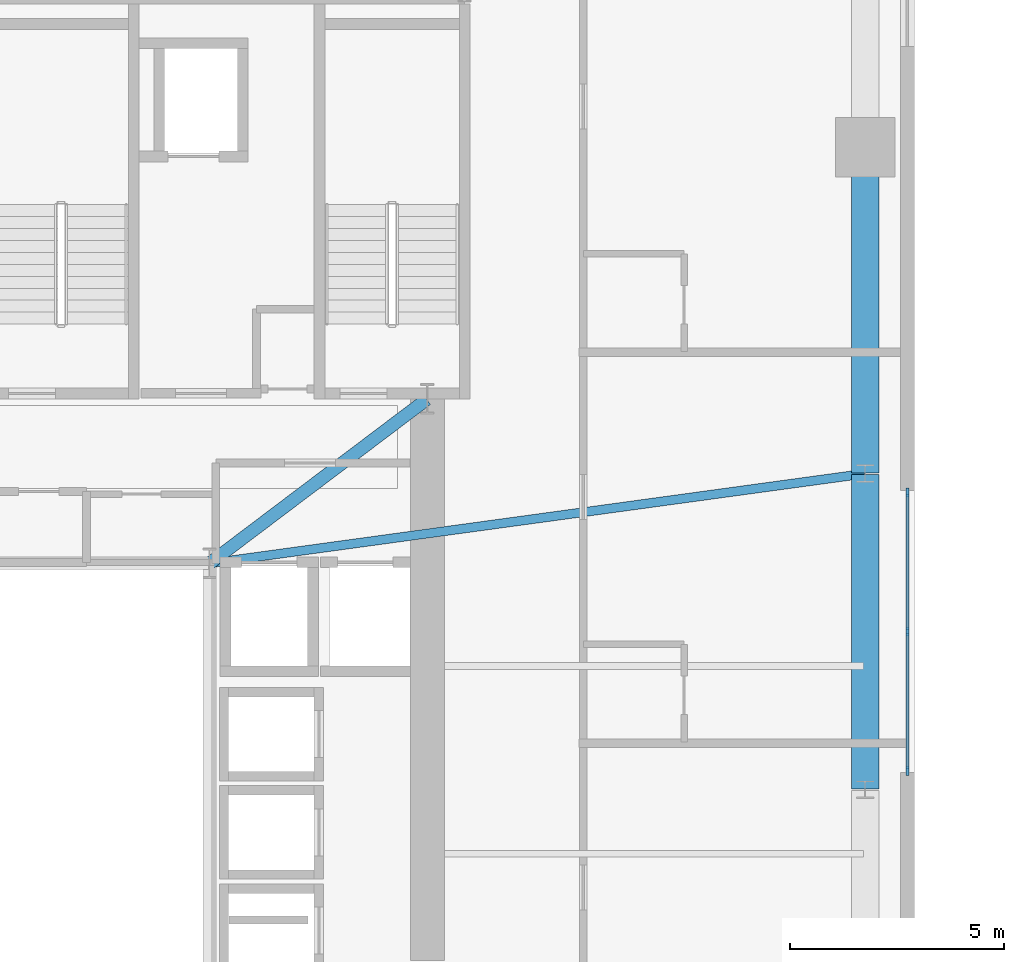
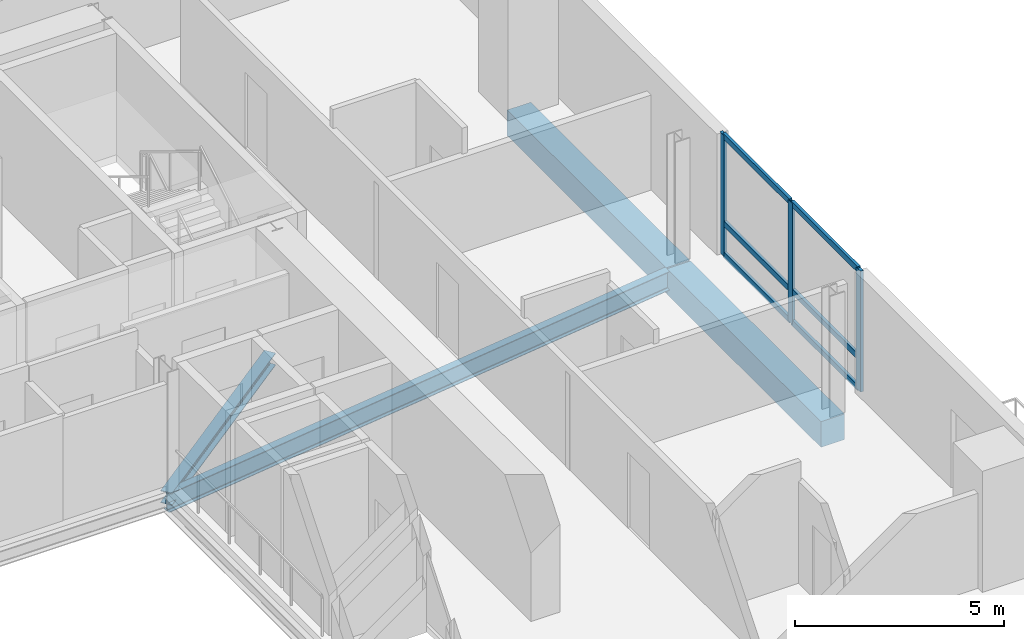
# One storey, part 5 of 15: 9 members, 4 beams, 1 element without a shape of its own.
"""IFC4 building model written with IfcOpenShell, lengths in metres."""

from ifc_helpers import new_model, si_unit, direction, frame, origin, origin_2d, place, context, subcontext, project, spatial, rectangle, i_section, extrude, source, transform, mapped, material, material_profile, profile_set, type_object, element, aggregate, save


model = new_model("IFC4")

# Units and contexts
model_context = context("Model", 3, precision=1e-05, world=origin(), true_north=direction((0.0, 1.0)))
body_context = subcontext(model_context, "Body", "Model", "MODEL_VIEW")
ifc_project = project(units=[si_unit("LENGTHUNIT", "METRE"), si_unit("AREAUNIT", "SQUARE_METRE"), si_unit("VOLUMEUNIT", "CUBIC_METRE"), si_unit("PLANEANGLEUNIT", "RADIAN"), si_unit("MASSUNIT", "GRAM", prefix="KILO")], contexts=[model_context])

# Site, building, storey
site_placement = place(None, origin())
site = spatial("IfcSite", under=ifc_project, at=site_placement, CompositionType="ELEMENT")
building_placement = place(site_placement, origin())
building = spatial("IfcBuilding", under=site, at=building_placement, Name="Vardaveli Station Tower", CompositionType="ELEMENT")
storey_placement = place(building_placement, frame((0.0, 0.0, 207.300048828125)))
storey = spatial("IfcBuildingStorey", under=building, at=storey_placement, Name="L53", CompositionType="ELEMENT", Elevation=207.300048828125)

# Beams
ifc_material_1 = material(Name="Structural steel S355J2", Category="steel")
ifc_material_profile_1 = material_profile(ifc_material_1, i_section(OverallWidth=0.300048828125, OverallDepth=0.360107421875, WebThickness=0.012451171875, FlangeThickness=0.0224609375, FilletRadius=0.027099609375, at=origin_2d()), Name="HEB 360")
ifc_profile_set_1 = profile_set([ifc_material_profile_1], Name="Structural steel S355J2")
beam_type_1 = type_object("IfcBeamType", Name="BM-HEB360", PredefinedType="BEAM", material=ifc_profile_set_1)
shared_shape_1 = source(origin(), body_context, "Body", "SweptSolid", [
    extrude(i_section(OverallWidth=0.300048828125, OverallDepth=0.360107421875, WebThickness=0.012451171875, FlangeThickness=0.0224609375, FilletRadius=0.027099609375, at=origin_2d()), origin(), (0.0, 0.0, 1.0), 6.35009765625),
])
beam_1_placement = place(storey_placement, frame((41.416015625, 26.81201171875, -0.400146484375), z_axis=(0.798118337722, 0.602500721154, 0.0), x_axis=(-0.602500721154, 0.798118337722, 0.0)))
element("IfcBeam", 1, at=beam_1_placement, inside=storey, type_object=beam_type_1, Name="CBM-L53-02", PredefinedType="BEAM", context=body_context, shape_type="MappedRepresentation", body=[
    mapped(shared_shape_1, transform((0.0, 0.0, 0.0), scale=1.0)),
])
ifc_material_2 = material(Name="Precast concrete C45/55", Category="concrete")
ifc_material_profile_2 = material_profile(ifc_material_2, rectangle(XDim=0.64990234375, YDim=0.75, at=origin_2d()), Name="LPB 650x750")
ifc_profile_set_2 = profile_set([ifc_material_profile_2], Name="Precast concrete C45/55")
beam_type_2 = type_object("IfcBeamType", Name="BM-LPB-750", PredefinedType="BEAM", material=ifc_profile_set_2)
shared_shape_2 = source(origin(), body_context, "Body", "SweptSolid", [
    extrude(rectangle(XDim=0.64990234375, YDim=0.75, at=origin_2d()), origin(), (0.0, 0.0, 1.0), 7.60009765625),
])
beam_2_placement = place(storey_placement, frame((56.75, 28.919921875, -0.594970703125), z_axis=(0.0, 1.0, 0.0), x_axis=(-1.0, 0.0, 0.0)))
element("IfcBeam", 2, at=beam_2_placement, inside=storey, type_object=beam_type_2, Name="RBM-L53-09", PredefinedType="BEAM", context=body_context, shape_type="MappedRepresentation", body=[
    mapped(shared_shape_2, transform((0.0, 0.0, 0.0), scale=1.0)),
])
shared_shape_3 = source(origin(), body_context, "Body", "SweptSolid", [
    extrude(rectangle(XDim=0.64990234375, YDim=0.75, at=origin_2d()), origin(), (0.0, 0.0, 1.0), 7.35986328125),
])
beam_3_placement = place(storey_placement, frame((56.75, 21.52001953125, -0.594970703125), z_axis=(0.0, 1.0, 0.0), x_axis=(-1.0, 0.0, 0.0)))
element("IfcBeam", 3, at=beam_3_placement, inside=storey, type_object=beam_type_2, Name="RBM-L53-08", PredefinedType="BEAM", context=body_context, shape_type="MappedRepresentation", body=[
    mapped(shared_shape_3, transform((0.0, 0.0, 0.0), scale=1.0)),
])
ifc_material_profile_3 = material_profile(ifc_material_1, i_section(OverallWidth=0.2099609375, OverallDepth=0.550048828125, WebThickness=0.010986328125, FlangeThickness=0.01708984375, FilletRadius=0.02392578125, at=origin_2d()), Name="IPE 550")
ifc_profile_set_3 = profile_set([ifc_material_profile_3], Name="Structural steel S355J2")
beam_type_3 = type_object("IfcBeamType", Name="BM-IPE550", PredefinedType="BEAM", material=ifc_profile_set_3)
shared_shape_4 = source(origin(), body_context, "Body", "SweptSolid", [
    extrude(i_section(OverallWidth=0.2099609375, OverallDepth=0.550048828125, WebThickness=0.010986328125, FlangeThickness=0.01708984375, FilletRadius=0.02392578125, at=origin_2d()), origin(), (0.0, 0.0, 1.0), 15.452880859375),
])
beam_4_placement = place(storey_placement, frame((56.730224609375, 28.897216796875, -0.4951171875), z_axis=(-0.99077191151, -0.135539733521, 0.0), x_axis=(0.135539733521, -0.99077191151, 0.0)))
element("IfcBeam", 4, at=beam_4_placement, inside=storey, type_object=beam_type_3, Name="GBM-L53-07", PredefinedType="BEAM", context=body_context, shape_type="MappedRepresentation", body=[
    mapped(shared_shape_4, transform((0.0, 0.0, 0.0), scale=1.0)),
])

# Curtain wall, members
ifc_material_3 = material(Name="Travertine stone and solar-control glass", Category="masonry")
curtain_wall_type = type_object("IfcCurtainWallType", Name="CW-SYS-5", PredefinedType="NOTDEFINED", material=ifc_material_3)
curtain_wall_placement = place(storey_placement, origin())
curtain_wall = element("IfcCurtainWall", 5, at=curtain_wall_placement, inside=storey, type_object=curtain_wall_type, Name="CW-L53-E", PredefinedType="NOTDEFINED")
ifc_material_4 = material(Name="Anodised aluminium alloy 6063-T6", Category="aluminium")
ifc_material_profile_4 = material_profile(ifc_material_4, rectangle(XDim=0.080078125, YDim=0.1650390625, at=origin_2d()), Name="CWT 80x165")
ifc_profile_set_4 = profile_set([ifc_material_profile_4], Name="Anodised aluminium alloy 6063-T6")
member_type_1 = type_object("IfcMemberType", Name="CW-SYS-5-TRAN", PredefinedType="NOTDEFINED", material=ifc_profile_set_4)
shared_shape_5 = source(origin(), body_context, "Body", "SweptSolid", [
    extrude(rectangle(XDim=0.080078125, YDim=0.1650390625, at=origin_2d()), origin(), (0.0, 0.0, 1.0), 3.179931640625),
])
member_1_placement = place(storey_placement, frame((57.739990234375, 21.97998046875, 0.0400390625), z_axis=(0.0, 1.0, 0.0), x_axis=(-1.0, 0.0, 0.0)))
member_1 = element("IfcMember", 6, at=member_1_placement, type_object=member_type_1, Name="CW-5 transom 1.1", ObjectType="TRANSOM", PredefinedType="USERDEFINED", context=body_context, shape_type="MappedRepresentation", body=[
    mapped(shared_shape_5, transform((0.0, 0.0, 0.0), scale=1.0)),
])
member_2_placement = place(storey_placement, frame((57.739990234375, 21.97998046875, 0.949951171875), z_axis=(0.0, 1.0, 0.0), x_axis=(-1.0, 0.0, 0.0)))
member_2 = element("IfcMember", 7, at=member_2_placement, type_object=member_type_1, Name="CW-5 transom 1.2", ObjectType="TRANSOM", PredefinedType="USERDEFINED", context=body_context, shape_type="MappedRepresentation", body=[
    mapped(shared_shape_5, transform((0.0, 0.0, 0.0), scale=1.0)),
])
member_3_placement = place(storey_placement, frame((57.739990234375, 21.97998046875, 3.489990234375), z_axis=(0.0, 1.0, 0.0), x_axis=(-1.0, 0.0, 0.0)))
member_3 = element("IfcMember", 8, at=member_3_placement, type_object=member_type_1, Name="CW-5 transom 1.3", ObjectType="TRANSOM", PredefinedType="USERDEFINED", context=body_context, shape_type="MappedRepresentation", body=[
    mapped(shared_shape_5, transform((0.0, 0.0, 0.0), scale=1.0)),
])
member_4_placement = place(storey_placement, frame((57.739990234375, 25.239990234375, 0.0400390625), z_axis=(0.0, 1.0, 0.0), x_axis=(-1.0, 0.0, 0.0)))
member_4 = element("IfcMember", 9, at=member_4_placement, type_object=member_type_1, Name="CW-5 transom 2.1", ObjectType="TRANSOM", PredefinedType="USERDEFINED", context=body_context, shape_type="MappedRepresentation", body=[
    mapped(shared_shape_5, transform((0.0, 0.0, 0.0), scale=1.0)),
])
member_5_placement = place(storey_placement, frame((57.739990234375, 25.239990234375, 0.949951171875), z_axis=(0.0, 1.0, 0.0), x_axis=(-1.0, 0.0, 0.0)))
member_5 = element("IfcMember", 10, at=member_5_placement, type_object=member_type_1, Name="CW-5 transom 2.2", ObjectType="TRANSOM", PredefinedType="USERDEFINED", context=body_context, shape_type="MappedRepresentation", body=[
    mapped(shared_shape_5, transform((0.0, 0.0, 0.0), scale=1.0)),
])
member_6_placement = place(storey_placement, frame((57.739990234375, 25.239990234375, 3.489990234375), z_axis=(0.0, 1.0, 0.0), x_axis=(-1.0, 0.0, 0.0)))
member_6 = element("IfcMember", 11, at=member_6_placement, type_object=member_type_1, Name="CW-5 transom 2.3", ObjectType="TRANSOM", PredefinedType="USERDEFINED", context=body_context, shape_type="MappedRepresentation", body=[
    mapped(shared_shape_5, transform((0.0, 0.0, 0.0), scale=1.0)),
])
ifc_material_profile_5 = material_profile(ifc_material_4, rectangle(XDim=0.080078125, YDim=0.205078125, at=origin_2d()), Name="CWM 80x205")
ifc_profile_set_5 = profile_set([ifc_material_profile_5], Name="Anodised aluminium alloy 6063-T6")
member_type_2 = type_object("IfcMemberType", Name="CW-SYS-5-MULL", PredefinedType="MULLION", material=ifc_profile_set_5)
shared_shape_6 = source(origin(), body_context, "Body", "SweptSolid", [
    extrude(rectangle(XDim=0.080078125, YDim=0.205078125, at=origin_2d()), origin(), (0.0, 0.0, 1.0), 3.530029296875),
])
member_7_placement = place(storey_placement, frame((57.739990234375, 21.93994140625, 0.0), z_axis=(0.0, 0.0, 1.0), x_axis=(-1.0, 0.0, 0.0)))
member_7 = element("IfcMember", 12, at=member_7_placement, type_object=member_type_2, Name="CW-5 mullion 1", PredefinedType="MULLION", context=body_context, shape_type="MappedRepresentation", body=[
    mapped(shared_shape_6, transform((0.0, 0.0, 0.0), scale=1.0)),
])
member_8_placement = place(storey_placement, frame((57.739990234375, 25.199951171875, 0.0), z_axis=(0.0, 0.0, 1.0), x_axis=(-1.0, 0.0, 0.0)))
member_8 = element("IfcMember", 13, at=member_8_placement, type_object=member_type_2, Name="CW-5 mullion 2", PredefinedType="MULLION", context=body_context, shape_type="MappedRepresentation", body=[
    mapped(shared_shape_6, transform((0.0, 0.0, 0.0), scale=1.0)),
])
member_9_placement = place(storey_placement, frame((57.739990234375, 28.4599609375, 0.0), z_axis=(0.0, 0.0, 1.0), x_axis=(-1.0, 0.0, 0.0)))
member_9 = element("IfcMember", 14, at=member_9_placement, type_object=member_type_2, Name="CW-5 mullion 3", PredefinedType="MULLION", context=body_context, shape_type="MappedRepresentation", body=[
    mapped(shared_shape_6, transform((0.0, 0.0, 0.0), scale=1.0)),
])
aggregate(curtain_wall, [member_7, member_8, member_9, member_1, member_2, member_3, member_4, member_5, member_6])

save(model, "model.ifc")
